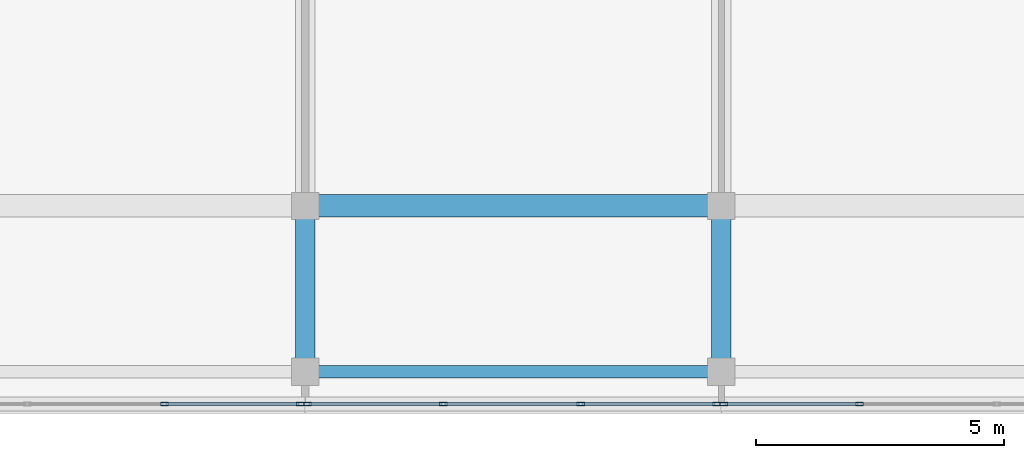
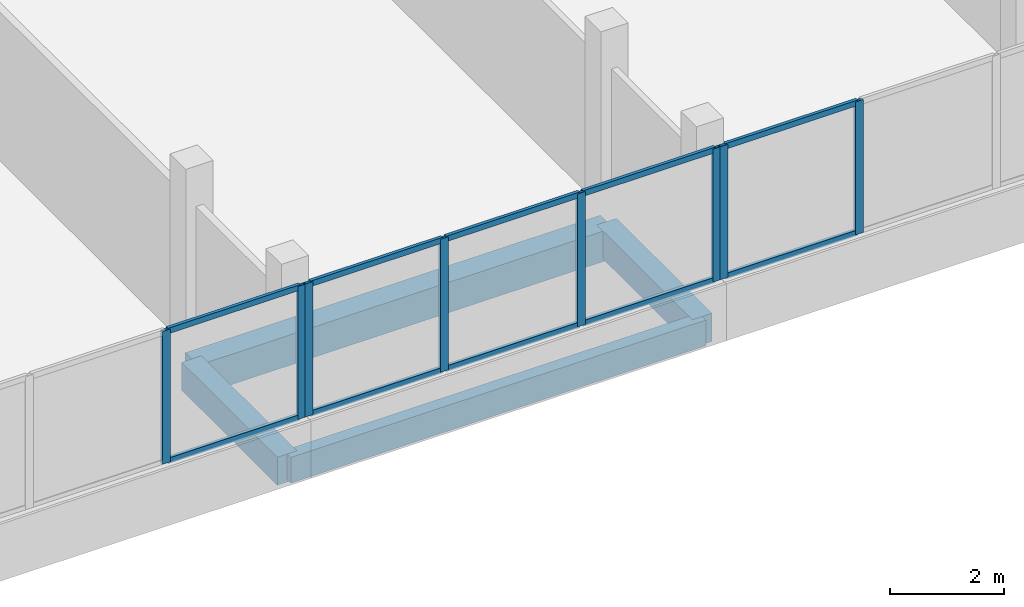
# One storey, part 25 of 66: 18 members, 4 beams, 3 elements without a shape of their own.
"""IFC4 building model written with IfcOpenShell, lengths in metres."""

from ifc_helpers import new_model, si_unit, direction, frame, origin, origin_2d, place, context, subcontext, project, spatial, rectangle, hollow_rectangle, extrude, material, material_profile, profile_set, type_object, element, aggregate, save


model = new_model("IFC4")

# Units and contexts
model_context = context("Model", 3, precision=1e-05, world=origin(), true_north=direction((0.0, 1.0)))
body_context = subcontext(model_context, "Body", "Model", "MODEL_VIEW")
ifc_project = project(units=[si_unit("LENGTHUNIT", "METRE"), si_unit("AREAUNIT", "SQUARE_METRE"), si_unit("VOLUMEUNIT", "CUBIC_METRE"), si_unit("PLANEANGLEUNIT", "RADIAN"), si_unit("MASSUNIT", "GRAM", prefix="KILO")], contexts=[model_context])

# Site, building, storey
site_placement = place(None, origin())
site = spatial("IfcSite", under=ifc_project, at=site_placement, CompositionType="ELEMENT")
building_placement = place(site_placement, origin())
building = spatial("IfcBuilding", under=site, at=building_placement, Name="Selatvlak General Hospital", CompositionType="ELEMENT")
storey_placement = place(building_placement, frame((0.0, 0.0, 31.35009765625)))
storey = spatial("IfcBuildingStorey", under=building, at=storey_placement, Name="L07", CompositionType="ELEMENT", Elevation=31.35009765625)

# Beams
ifc_material_1 = material(Name="Concrete C40/50", Category="concrete")
ifc_material_profile_1 = material_profile(ifc_material_1, rectangle(XDim=0.449951171875, YDim=0.64990234375, at=origin_2d()), Name="RC-BM 450x650")
ifc_profile_set_1 = profile_set([ifc_material_profile_1], Name="Concrete C40/50")
beam_type_1 = type_object("IfcBeamType", Name="BM-G04", PredefinedType="BEAM", material=ifc_profile_set_1)
beam_1_placement = place(storey_placement, frame((106.800048828125, 92.0, -0.59521484375), z_axis=(1.0, 0.0, 0.0), x_axis=(0.0, 1.0, 0.0)))
element("IfcBeam", 1, at=beam_1_placement, inside=storey, type_object=beam_type_1, Name="Beam BMR-L07-2391", PredefinedType="BEAM", context=body_context, shape_type="SweptSolid", body=[
    extrude(rectangle(XDim=0.449951171875, YDim=0.64990234375, at=origin_2d()), origin(), (0.0, 0.0, 1.0), 8.39990234375),
])
ifc_material_profile_2 = material_profile(ifc_material_1, rectangle(XDim=0.39990234375, YDim=0.60009765625, at=origin_2d()), Name="RC-BM 400x600")
ifc_profile_set_2 = profile_set([ifc_material_profile_2], Name="Concrete C40/50")
beam_type_2 = type_object("IfcBeamType", Name="BM-G05", PredefinedType="BEAM", material=ifc_profile_set_2)
for number, where, z_axis, x_axis, name in (
    (2, (106.800048828125, 88.64990234375, -0.570068359375), (0.0, 1.0, 0.0), (-1.0, 0.0, 0.0), "Beam BMR-L07-2507"),
    (3, (115.199951171875, 88.64990234375, -0.570068359375), (0.0, 1.0, 0.0), (-1.0, 0.0, 0.0), "Beam BMR-L07-2510"),
):
    element("IfcBeam", number, at=place(storey_placement, frame(where, z_axis=z_axis, x_axis=x_axis)), inside=storey, type_object=beam_type_2, Name=name, PredefinedType="BEAM", context=body_context, shape_type="SweptSolid", body=[
        extrude(rectangle(XDim=0.39990234375, YDim=0.60009765625, at=origin_2d()), origin(), (0.0, 0.0, 1.0), 3.35009765625),
    ])
ifc_material_profile_3 = material_profile(ifc_material_1, rectangle(XDim=0.25, YDim=0.550048828125, at=origin_2d()), Name="RC-SP 250x550")
ifc_profile_set_3 = profile_set([ifc_material_profile_3], Name="Concrete C40/50")
beam_type_3 = type_object("IfcBeamType", Name="BM-SP2", PredefinedType="SPANDREL", material=ifc_profile_set_3)
beam_2_placement = place(storey_placement, frame((106.800048828125, 88.64990234375, -0.545166015625), z_axis=(1.0, 0.0, 0.0), x_axis=(0.0, 1.0, 0.0)))
element("IfcBeam", 4, at=beam_2_placement, inside=storey, type_object=beam_type_3, Name="Beam BMR-L07-2372", PredefinedType="SPANDREL", context=body_context, shape_type="SweptSolid", body=[
    extrude(rectangle(XDim=0.25, YDim=0.550048828125, at=origin_2d()), origin(), (0.0, 0.0, 1.0), 8.39990234375),
])

# Curtain wall, members
ifc_material_2 = material(Name="Solar-control Low-E double glazing", Category="glass")
curtain_wall_type_1 = type_object("IfcCurtainWallType", Name="CW-CW-02", PredefinedType="USERDEFINED", material=ifc_material_2)
curtain_wall_1_placement = place(storey_placement, origin())
curtain_wall_1 = element("IfcCurtainWall", 5, at=curtain_wall_1_placement, inside=storey, type_object=curtain_wall_type_1, Name="Glazed facade curtain wall CW-L07-0668", ObjectType="UNITISED CURTAIN WALL", PredefinedType="USERDEFINED")
ifc_material_3 = material(Name="Dark anodised aluminium mullion", Category="aluminium")
ifc_material_profile_4 = material_profile(ifc_material_3, hollow_rectangle(XDim=0.06494140625, YDim=0.159912109375, WallThickness=0.00390625, at=origin_2d()), Name="AL-MUL 65x160x4")
ifc_profile_set_4 = profile_set([ifc_material_profile_4], Name="Dark anodised aluminium mullion")
member_type_1 = type_object("IfcMemberType", Name="CWM-01", PredefinedType="MULLION", material=ifc_profile_set_4)
member_1_placement = place(storey_placement, frame((117.98828125, 88.0009765625, 0.93994140625), z_axis=(0.0, 0.0, 1.0), x_axis=(0.0, -1.0, 0.0)))
member_1 = element("IfcMember", 6, at=member_1_placement, type_object=member_type_1, Name="CW-02 mullion 3", PredefinedType="MULLION", context=body_context, shape_type="SweptSolid", body=[
    extrude(hollow_rectangle(XDim=0.06494140625, YDim=0.159912109375, WallThickness=0.00390625, at=origin_2d()), origin(), (0.0, 0.0, 1.0), 2.844970703125),
])
member_2_placement = place(storey_placement, frame((115.24755859375, 88.0009765625, 0.93994140625), z_axis=(0.0, 0.0, 1.0), x_axis=(0.0, -1.0, 0.0)))
member_2 = element("IfcMember", 7, at=member_2_placement, type_object=member_type_1, Name="CW-02 mullion 4", PredefinedType="MULLION", context=body_context, shape_type="SweptSolid", body=[
    extrude(hollow_rectangle(XDim=0.06494140625, YDim=0.159912109375, WallThickness=0.00390625, at=origin_2d()), origin(), (0.0, 0.0, 1.0), 2.844970703125),
])

curtain_wall_type_2 = type_object("IfcCurtainWallType", Name="CW-CW-01", PredefinedType="USERDEFINED", material=ifc_material_2)
curtain_wall_2_placement = place(storey_placement, origin())
curtain_wall_2 = element("IfcCurtainWall", 8, at=curtain_wall_2_placement, inside=storey, type_object=curtain_wall_type_2, Name="Glazed facade curtain wall CW-L07-0669", ObjectType="UNITISED CURTAIN WALL", PredefinedType="USERDEFINED")
member_3_placement = place(storey_placement, frame((115.1025390625, 88.0009765625, 0.93994140625), z_axis=(0.0, 0.0, 1.0), x_axis=(0.0, -1.0, 0.0)))
member_3 = element("IfcMember", 9, at=member_3_placement, type_object=member_type_1, Name="CW-01 mullion 1", PredefinedType="MULLION", context=body_context, shape_type="SweptSolid", body=[
    extrude(hollow_rectangle(XDim=0.06494140625, YDim=0.159912109375, WallThickness=0.00390625, at=origin_2d()), origin(), (0.0, 0.0, 1.0), 2.844970703125),
])
member_4_placement = place(storey_placement, frame((112.361572265625, 88.0009765625, 0.93994140625), z_axis=(0.0, 0.0, 1.0), x_axis=(0.0, -1.0, 0.0)))
member_4 = element("IfcMember", 10, at=member_4_placement, type_object=member_type_1, Name="CW-01 mullion 2", PredefinedType="MULLION", context=body_context, shape_type="SweptSolid", body=[
    extrude(hollow_rectangle(XDim=0.06494140625, YDim=0.159912109375, WallThickness=0.00390625, at=origin_2d()), origin(), (0.0, 0.0, 1.0), 2.844970703125),
])
member_5_placement = place(storey_placement, frame((109.58837890625, 88.0009765625, 0.93994140625), z_axis=(0.0, 0.0, 1.0), x_axis=(0.0, -1.0, 0.0)))
member_5 = element("IfcMember", 11, at=member_5_placement, type_object=member_type_1, Name="CW-01 mullion 3", PredefinedType="MULLION", context=body_context, shape_type="SweptSolid", body=[
    extrude(hollow_rectangle(XDim=0.06494140625, YDim=0.159912109375, WallThickness=0.00390625, at=origin_2d()), origin(), (0.0, 0.0, 1.0), 2.844970703125),
])
member_6_placement = place(storey_placement, frame((106.847412109375, 88.0009765625, 0.93994140625), z_axis=(0.0, 0.0, 1.0), x_axis=(0.0, -1.0, 0.0)))
member_6 = element("IfcMember", 12, at=member_6_placement, type_object=member_type_1, Name="CW-01 mullion 4", PredefinedType="MULLION", context=body_context, shape_type="SweptSolid", body=[
    extrude(hollow_rectangle(XDim=0.06494140625, YDim=0.159912109375, WallThickness=0.00390625, at=origin_2d()), origin(), (0.0, 0.0, 1.0), 2.844970703125),
])

curtain_wall_3_placement = place(storey_placement, origin())
curtain_wall_3 = element("IfcCurtainWall", 13, at=curtain_wall_3_placement, inside=storey, type_object=curtain_wall_type_1, Name="Glazed facade curtain wall CW-L07-0670", ObjectType="UNITISED CURTAIN WALL", PredefinedType="USERDEFINED")
member_7_placement = place(storey_placement, frame((106.702392578125, 88.0009765625, 0.93994140625), z_axis=(0.0, 0.0, 1.0), x_axis=(0.0, -1.0, 0.0)))
member_7 = element("IfcMember", 14, at=member_7_placement, type_object=member_type_1, Name="CW-02 mullion 1", PredefinedType="MULLION", context=body_context, shape_type="SweptSolid", body=[
    extrude(hollow_rectangle(XDim=0.06494140625, YDim=0.159912109375, WallThickness=0.00390625, at=origin_2d()), origin(), (0.0, 0.0, 1.0), 2.844970703125),
])
member_8_placement = place(storey_placement, frame((103.961669921875, 88.0009765625, 0.93994140625), z_axis=(0.0, 0.0, 1.0), x_axis=(0.0, -1.0, 0.0)))
member_8 = element("IfcMember", 15, at=member_8_placement, type_object=member_type_1, Name="CW-02 mullion 2", PredefinedType="MULLION", context=body_context, shape_type="SweptSolid", body=[
    extrude(hollow_rectangle(XDim=0.06494140625, YDim=0.159912109375, WallThickness=0.00390625, at=origin_2d()), origin(), (0.0, 0.0, 1.0), 2.844970703125),
])

# Member
ifc_material_profile_5 = material_profile(ifc_material_3, hollow_rectangle(XDim=0.06494140625, YDim=0.1201171875, WallThickness=0.00390625, at=origin_2d()), Name="AL-TRN 65x120x4")
ifc_profile_set_5 = profile_set([ifc_material_profile_5], Name="Dark anodised aluminium mullion")
member_type_2 = type_object("IfcMemberType", Name="CWT-01", PredefinedType="USERDEFINED", material=ifc_profile_set_5)
member_9_placement = place(storey_placement, frame((117.955810546875, 88.0009765625, 0.972412109375), z_axis=(-1.0, 0.0, 0.0), x_axis=(0.0, -1.0, 0.0)))
member_9 = element("IfcMember", 16, at=member_9_placement, type_object=member_type_2, Name="CW-02 transom 3.1", ObjectType="TRANSOM", PredefinedType="USERDEFINED", context=body_context, shape_type="SweptSolid", body=[
    extrude(hollow_rectangle(XDim=0.06494140625, YDim=0.1201171875, WallThickness=0.00390625, at=origin_2d()), origin(), (0.0, 0.0, 1.0), 2.67578125),
])

member_10_placement = place(storey_placement, frame((117.955810546875, 88.0009765625, 3.75244140625), z_axis=(-1.0, 0.0, 0.0), x_axis=(0.0, -1.0, 0.0)))
member_10 = element("IfcMember", 17, at=member_10_placement, type_object=member_type_2, Name="CW-02 transom 3.2", ObjectType="TRANSOM", PredefinedType="USERDEFINED", context=body_context, shape_type="SweptSolid", body=[
    extrude(hollow_rectangle(XDim=0.06494140625, YDim=0.1201171875, WallThickness=0.00390625, at=origin_2d()), origin(), (0.0, 0.0, 1.0), 2.67578125),
])

aggregate(curtain_wall_1, [member_1, member_2, member_9, member_10])

member_11_placement = place(storey_placement, frame((115.070068359375, 88.0009765625, 0.972412109375), z_axis=(-1.0, 0.0, 0.0), x_axis=(0.0, -1.0, 0.0)))
member_11 = element("IfcMember", 18, at=member_11_placement, type_object=member_type_2, Name="CW-01 transom 1.1", ObjectType="TRANSOM", PredefinedType="USERDEFINED", context=body_context, shape_type="SweptSolid", body=[
    extrude(hollow_rectangle(XDim=0.06494140625, YDim=0.1201171875, WallThickness=0.00390625, at=origin_2d()), origin(), (0.0, 0.0, 1.0), 2.67578125),
])

member_12_placement = place(storey_placement, frame((115.070068359375, 88.0009765625, 3.75244140625), z_axis=(-1.0, 0.0, 0.0), x_axis=(0.0, -1.0, 0.0)))
member_12 = element("IfcMember", 19, at=member_12_placement, type_object=member_type_2, Name="CW-01 transom 1.2", ObjectType="TRANSOM", PredefinedType="USERDEFINED", context=body_context, shape_type="SweptSolid", body=[
    extrude(hollow_rectangle(XDim=0.06494140625, YDim=0.1201171875, WallThickness=0.00390625, at=origin_2d()), origin(), (0.0, 0.0, 1.0), 2.67578125),
])

member_13_placement = place(storey_placement, frame((112.3291015625, 88.0009765625, 0.972412109375), z_axis=(-1.0, 0.0, 0.0), x_axis=(0.0, -1.0, 0.0)))
member_13 = element("IfcMember", 20, at=member_13_placement, type_object=member_type_2, Name="CW-01 transom 2.1", ObjectType="TRANSOM", PredefinedType="USERDEFINED", context=body_context, shape_type="SweptSolid", body=[
    extrude(hollow_rectangle(XDim=0.06494140625, YDim=0.1201171875, WallThickness=0.00390625, at=origin_2d()), origin(), (0.0, 0.0, 1.0), 2.708251953125),
])

member_14_placement = place(storey_placement, frame((112.3291015625, 88.0009765625, 3.75244140625), z_axis=(-1.0, 0.0, 0.0), x_axis=(0.0, -1.0, 0.0)))
member_14 = element("IfcMember", 21, at=member_14_placement, type_object=member_type_2, Name="CW-01 transom 2.2", ObjectType="TRANSOM", PredefinedType="USERDEFINED", context=body_context, shape_type="SweptSolid", body=[
    extrude(hollow_rectangle(XDim=0.06494140625, YDim=0.1201171875, WallThickness=0.00390625, at=origin_2d()), origin(), (0.0, 0.0, 1.0), 2.708251953125),
])

member_15_placement = place(storey_placement, frame((109.555908203125, 88.0009765625, 0.972412109375), z_axis=(-1.0, 0.0, 0.0), x_axis=(0.0, -1.0, 0.0)))
member_15 = element("IfcMember", 22, at=member_15_placement, type_object=member_type_2, Name="CW-01 transom 3.1", ObjectType="TRANSOM", PredefinedType="USERDEFINED", context=body_context, shape_type="SweptSolid", body=[
    extrude(hollow_rectangle(XDim=0.06494140625, YDim=0.1201171875, WallThickness=0.00390625, at=origin_2d()), origin(), (0.0, 0.0, 1.0), 2.676025390625),
])

member_16_placement = place(storey_placement, frame((109.555908203125, 88.0009765625, 3.75244140625), z_axis=(-1.0, 0.0, 0.0), x_axis=(0.0, -1.0, 0.0)))
member_16 = element("IfcMember", 23, at=member_16_placement, type_object=member_type_2, Name="CW-01 transom 3.2", ObjectType="TRANSOM", PredefinedType="USERDEFINED", context=body_context, shape_type="SweptSolid", body=[
    extrude(hollow_rectangle(XDim=0.06494140625, YDim=0.1201171875, WallThickness=0.00390625, at=origin_2d()), origin(), (0.0, 0.0, 1.0), 2.676025390625),
])

aggregate(curtain_wall_2, [member_3, member_4, member_5, member_6, member_11, member_12, member_13, member_14, member_15, member_16])

member_17_placement = place(storey_placement, frame((106.669921875, 88.0009765625, 0.972412109375), z_axis=(-1.0, 0.0, 0.0), x_axis=(0.0, -1.0, 0.0)))
member_17 = element("IfcMember", 24, at=member_17_placement, type_object=member_type_2, Name="CW-02 transom 1.1", ObjectType="TRANSOM", PredefinedType="USERDEFINED", context=body_context, shape_type="SweptSolid", body=[
    extrude(hollow_rectangle(XDim=0.06494140625, YDim=0.1201171875, WallThickness=0.00390625, at=origin_2d()), origin(), (0.0, 0.0, 1.0), 2.67578125),
])

member_18_placement = place(storey_placement, frame((106.669921875, 88.0009765625, 3.75244140625), z_axis=(-1.0, 0.0, 0.0), x_axis=(0.0, -1.0, 0.0)))
member_18 = element("IfcMember", 25, at=member_18_placement, type_object=member_type_2, Name="CW-02 transom 1.2", ObjectType="TRANSOM", PredefinedType="USERDEFINED", context=body_context, shape_type="SweptSolid", body=[
    extrude(hollow_rectangle(XDim=0.06494140625, YDim=0.1201171875, WallThickness=0.00390625, at=origin_2d()), origin(), (0.0, 0.0, 1.0), 2.67578125),
])

aggregate(curtain_wall_3, [member_7, member_8, member_17, member_18])

save(model, "model.ifc")
